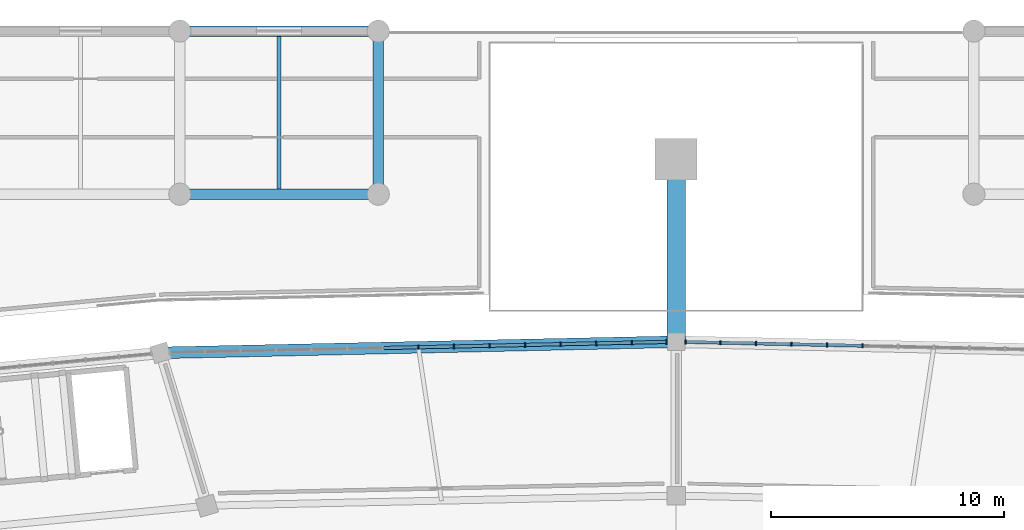
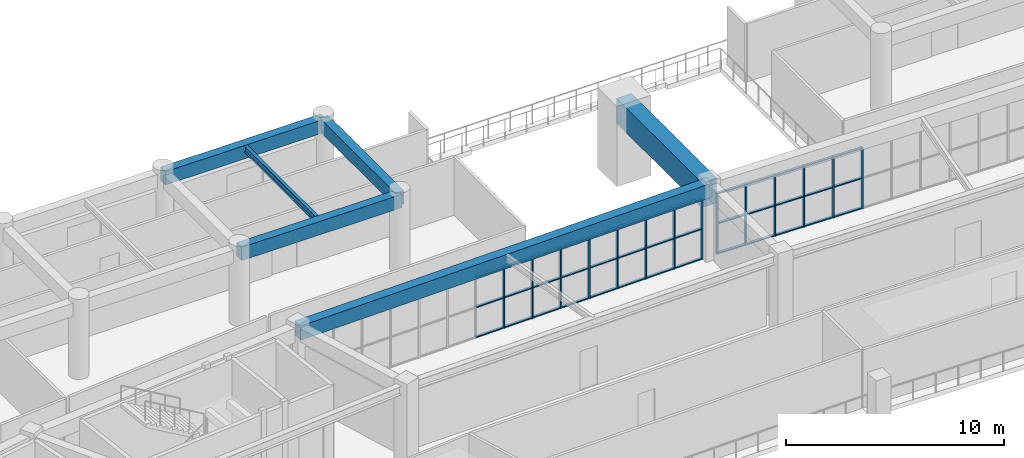
# One storey, part 59 of 141: 53 members, 6 beams, 2 elements without a shape of their own.
"""IFC4 building model written with IfcOpenShell, lengths in metres."""

from ifc_helpers import new_model, si_unit, direction, frame, origin, origin_2d, place, context, subcontext, project, spatial, rectangle, i_section, extrude, material, layer, layer_set, material_profile, profile_set, type_object, element, aggregate, save


model = new_model("IFC4")

# Units and contexts
model_context = context("Model", 3, precision=1e-05, world=origin(), true_north=direction((0.0, 1.0)))
body_context = subcontext(model_context, "Body", "Model", "MODEL_VIEW")
ifc_project = project(units=[si_unit("LENGTHUNIT", "METRE"), si_unit("AREAUNIT", "SQUARE_METRE"), si_unit("VOLUMEUNIT", "CUBIC_METRE"), si_unit("PLANEANGLEUNIT", "RADIAN"), si_unit("MASSUNIT", "GRAM", prefix="KILO")], contexts=[model_context])

# Site, building, storey
site_placement = place(None, origin())
site = spatial("IfcSite", under=ifc_project, at=site_placement, CompositionType="ELEMENT")
building_placement = place(site_placement, origin())
building = spatial("IfcBuilding", under=site, at=building_placement, Name="Mphavela Belvedere Stadium", CompositionType="ELEMENT")
storey_placement = place(building_placement, frame((0.0, 0.0, 14.699951171875)))
storey = spatial("IfcBuildingStorey", under=building, at=storey_placement, Name="L03", CompositionType="ELEMENT", Elevation=14.699951171875)

# Beams
ifc_material_1 = material(Name="Concrete C50/60", Category="concrete")
ifc_material_profile_1 = material_profile(ifc_material_1, rectangle(XDim=0.800048828125, YDim=1.39990234375, at=origin_2d()), Name="RC 800x1400")
ifc_profile_set_1 = profile_set([ifc_material_profile_1], Name="Concrete C50/60")
beam_type_1 = type_object("IfcBeamType", Name="BM-BUTTRESS-TIE-1400", PredefinedType="BEAM", material=ifc_profile_set_1)
beam_1_placement = place(storey_placement, frame((115.0, 160.669921875, 3.550048828125), z_axis=(0.0, 1.0, 0.0), x_axis=(-1.0, 0.0, 0.0)))
element("IfcBeam", 1, at=beam_1_placement, inside=storey, type_object=beam_type_1, Name="Mast buttress tie girder L03", PredefinedType="BEAM", context=body_context, shape_type="SweptSolid", body=[
    extrude(rectangle(XDim=0.800048828125, YDim=1.39990234375, at=origin_2d()), origin(), (0.0, 0.0, 1.0), 7.830078125),
])
ifc_material_2 = material(Name="Steel S355", Category="steel")
ifc_material_profile_2 = material_profile(ifc_material_2, i_section(OverallWidth=0.169921875, OverallDepth=0.360107421875, WebThickness=0.008056640625, FlangeThickness=0.0126953125, at=origin_2d()), Name="IPE 360")
ifc_profile_set_2 = profile_set([ifc_material_profile_2], Name="Steel S355")
beam_type_2 = type_object("IfcBeamType", Name="BM-JOIST-IPE360", PredefinedType="JOIST", material=ifc_profile_set_2)
beam_2_placement = place(storey_placement, frame((97.962890625, 167.22509765625, 4.06005859375), z_axis=(0.0, 1.0, 0.0), x_axis=(-1.0, 0.0, 0.0)))
element("IfcBeam", 2, at=beam_2_placement, inside=storey, type_object=beam_type_2, Name="North Mast and Ceremonial End Forecourt secondary joist L03 12-7", PredefinedType="JOIST", context=body_context, shape_type="SweptSolid", body=[
    extrude(i_section(OverallWidth=0.169921875, OverallDepth=0.360107421875, WebThickness=0.008056640625, FlangeThickness=0.0126953125, at=origin_2d()), origin(), (0.0, 0.0, 1.0), 6.5498046875),
])
ifc_material_3 = material(Name="Concrete C40/50", Category="concrete")
ifc_material_profile_3 = material_profile(ifc_material_3, rectangle(XDim=0.449951171875, YDim=0.75, at=origin_2d()), Name="RC 450x750")
ifc_profile_set_3 = profile_set([ifc_material_profile_3], Name="Concrete C40/50")
beam_type_3 = type_object("IfcBeamType", Name="BM-RC450x750", PredefinedType="BEAM", material=ifc_profile_set_3)
for number, where, z_axis, x_axis, name in (
    (3, (93.7041015625, 167.0, 3.864990234375), (1.0, 0.0, 0.0), (0.0, 1.0, 0.0), "North Mast and Ceremonial End Forecourt entablature beam X L03 12-7"),
    (4, (93.7041015625, 174.0, 3.864990234375), (1.0, 0.0, 0.0), (0.0, 1.0, 0.0), "North Mast and Ceremonial End Forecourt entablature beam X L03 12-8"),
):
    element("IfcBeam", number, at=place(storey_placement, frame(where, z_axis=z_axis, x_axis=x_axis)), inside=storey, type_object=beam_type_3, Name=name, PredefinedType="BEAM", context=body_context, shape_type="SweptSolid", body=[
        extrude(rectangle(XDim=0.449951171875, YDim=0.75, at=origin_2d()), origin(), (0.0, 0.0, 1.0), 8.517822265625),
    ])
beam_3_placement = place(storey_placement, frame((102.221923828125, 167.0, 3.864990234375), z_axis=(0.0, 1.0, 0.0), x_axis=(-1.0, 0.0, 0.0)))
element("IfcBeam", 5, at=beam_3_placement, inside=storey, type_object=beam_type_3, Name="North Mast and Ceremonial End Forecourt entablature beam Y L03 13-7", PredefinedType="BEAM", context=body_context, shape_type="SweptSolid", body=[
    extrude(rectangle(XDim=0.449951171875, YDim=0.75, at=origin_2d()), origin(), (0.0, 0.0, 1.0), 7.0),
])
ifc_material_4 = material(Name="Concrete C40/50", Category="concrete")
ifc_material_profile_4 = material_profile(ifc_material_4, rectangle(XDim=0.5, YDim=0.800048828125, at=origin_2d()), Name="RC 500x800")
ifc_profile_set_4 = profile_set([ifc_material_profile_4], Name="Concrete C40/50")
beam_type_4 = type_object("IfcBeamType", Name="BM-SPANDREL-800", PredefinedType="SPANDREL", material=ifc_profile_set_4)
beam_4_placement = place(storey_placement, frame((115.0, 160.669921875, 3.85009765625), z_axis=(-0.999768359718, -0.021522706765, 0.0), x_axis=(0.021522706765, -0.999768359718, 0.0)))
element("IfcBeam", 6, at=beam_4_placement, inside=storey, type_object=beam_type_4, Name="Circumferential girder L03 R4-13", PredefinedType="SPANDREL", context=body_context, shape_type="SweptSolid", body=[
    extrude(rectangle(XDim=0.5, YDim=0.800048828125, at=origin_2d()), origin(), (0.0, 0.0, 1.0), 22.11962890625),
])

# Curtain wall, members
ifc_material_5 = material(Name="Anodised bronze unitised curtain wall framing")
ifc_layer_1 = layer(ifc_material_5, 0.195068359375)
ifc_layer_set_1 = layer_set([ifc_layer_1], Name="Anodised bronze unitised curtain wall framing")
curtain_wall_type_1 = type_object("IfcCurtainWallType", Name="CW-UNIT-04", PredefinedType="USERDEFINED", material=ifc_layer_set_1)
curtain_wall_1_placement = place(storey_placement, origin())
curtain_wall_1 = element("IfcCurtainWall", 7, at=curtain_wall_1_placement, inside=storey, type_object=curtain_wall_type_1, Name="Belvedere colonnade curtain wall L03-12", ObjectType="UNITISED CURTAIN WALL", PredefinedType="USERDEFINED")
ifc_material_6 = material(Name="Anodised bronze extruded aluminium", Category="aluminium")
ifc_material_profile_5 = material_profile(ifc_material_6, rectangle(XDim=0.179931640625, YDim=0.06494140625, at=origin_2d()), Name="CW-MUL 180x65")
ifc_profile_set_5 = profile_set([ifc_material_profile_5], Name="Anodised bronze extruded aluminium")
member_type_1 = type_object("IfcMemberType", Name="CWM-180x65", PredefinedType="MULLION", material=ifc_profile_set_5)
member_1_placement = place(storey_placement, frame((123.004638671875, 160.49755859375, 0.0), z_axis=(0.0, 0.0, 1.0), x_axis=(-0.02153107878, -0.999768179453, 0.0)))
member_1 = element("IfcMember", 8, at=member_1_placement, type_object=member_type_1, Name="CW-04 mullion 10", PredefinedType="MULLION", context=body_context, shape_type="SweptSolid", body=[
    extrude(rectangle(XDim=0.179931640625, YDim=0.06494140625, at=origin_2d()), origin(), (0.0, 0.0, 1.0), 3.420166015625),
])
member_2_placement = place(storey_placement, frame((121.478271484375, 160.530517578125, 0.0), z_axis=(0.0, 0.0, 1.0), x_axis=(-0.02153107878, -0.999768179453, 0.0)))
member_2 = element("IfcMember", 9, at=member_2_placement, type_object=member_type_1, Name="CW-04 mullion 11", PredefinedType="MULLION", context=body_context, shape_type="SweptSolid", body=[
    extrude(rectangle(XDim=0.179931640625, YDim=0.06494140625, at=origin_2d()), origin(), (0.0, 0.0, 1.0), 3.420166015625),
])
member_3_placement = place(storey_placement, frame((119.951904296875, 160.5634765625, 0.0), z_axis=(0.0, 0.0, 1.0), x_axis=(-0.02153107878, -0.999768179453, 0.0)))
member_3 = element("IfcMember", 10, at=member_3_placement, type_object=member_type_1, Name="CW-04 mullion 12", PredefinedType="MULLION", context=body_context, shape_type="SweptSolid", body=[
    extrude(rectangle(XDim=0.179931640625, YDim=0.06494140625, at=origin_2d()), origin(), (0.0, 0.0, 1.0), 3.420166015625),
])
member_4_placement = place(storey_placement, frame((118.425537109375, 160.59619140625, 0.0), z_axis=(0.0, 0.0, 1.0), x_axis=(-0.02153107878, -0.999768179453, 0.0)))
member_4 = element("IfcMember", 11, at=member_4_placement, type_object=member_type_1, Name="CW-04 mullion 13", PredefinedType="MULLION", context=body_context, shape_type="SweptSolid", body=[
    extrude(rectangle(XDim=0.179931640625, YDim=0.06494140625, at=origin_2d()), origin(), (0.0, 0.0, 1.0), 3.420166015625),
])
member_5_placement = place(storey_placement, frame((116.899169921875, 160.629150390625, 0.0), z_axis=(0.0, 0.0, 1.0), x_axis=(-0.02153107878, -0.999768179453, 0.0)))
member_5 = element("IfcMember", 12, at=member_5_placement, type_object=member_type_1, Name="CW-04 mullion 14", PredefinedType="MULLION", context=body_context, shape_type="SweptSolid", body=[
    extrude(rectangle(XDim=0.179931640625, YDim=0.06494140625, at=origin_2d()), origin(), (0.0, 0.0, 1.0), 3.420166015625),
])
member_6_placement = place(storey_placement, frame((115.4052734375, 160.661376953125, 0.0), z_axis=(0.0, 0.0, 1.0), x_axis=(-0.02153107878, -0.999768179453, 0.0)))
member_6 = element("IfcMember", 13, at=member_6_placement, type_object=member_type_1, Name="CW-04 mullion 15", PredefinedType="MULLION", context=body_context, shape_type="SweptSolid", body=[
    extrude(rectangle(XDim=0.179931640625, YDim=0.06494140625, at=origin_2d()), origin(), (0.0, 0.0, 1.0), 3.420166015625),
])

ifc_material_7 = material(Name="Anodised bronze unitised curtain wall framing")
ifc_layer_2 = layer(ifc_material_7, 0.199951171875)
ifc_layer_set_2 = layer_set([ifc_layer_2], Name="Anodised bronze unitised curtain wall framing")
curtain_wall_type_2 = type_object("IfcCurtainWallType", Name="CW-UNIT-05", PredefinedType="USERDEFINED", material=ifc_layer_set_2)
curtain_wall_2_placement = place(storey_placement, origin())
curtain_wall_2 = element("IfcCurtainWall", 14, at=curtain_wall_2_placement, inside=storey, type_object=curtain_wall_type_2, Name="Belvedere colonnade curtain wall L03-13", ObjectType="UNITISED CURTAIN WALL", PredefinedType="USERDEFINED")
member_7_placement = place(storey_placement, frame((114.5947265625, 160.661376953125, 0.0), z_axis=(0.0, 0.0, 1.0), x_axis=(0.02153107878, -0.999768179453, 0.0)))
member_7 = element("IfcMember", 15, at=member_7_placement, type_object=member_type_1, Name="CW-05 mullion 1", PredefinedType="MULLION", context=body_context, shape_type="SweptSolid", body=[
    extrude(rectangle(XDim=0.179931640625, YDim=0.06494140625, at=origin_2d()), origin(), (0.0, 0.0, 1.0), 3.420166015625),
])
member_8_placement = place(storey_placement, frame((113.100830078125, 160.629150390625, 0.0), z_axis=(0.0, 0.0, 1.0), x_axis=(0.02153107878, -0.999768179453, 0.0)))
member_8 = element("IfcMember", 16, at=member_8_placement, type_object=member_type_1, Name="CW-05 mullion 2", PredefinedType="MULLION", context=body_context, shape_type="SweptSolid", body=[
    extrude(rectangle(XDim=0.179931640625, YDim=0.06494140625, at=origin_2d()), origin(), (0.0, 0.0, 1.0), 3.420166015625),
])
member_9_placement = place(storey_placement, frame((111.574462890625, 160.59619140625, 0.0), z_axis=(0.0, 0.0, 1.0), x_axis=(0.02153107878, -0.999768179453, 0.0)))
member_9 = element("IfcMember", 17, at=member_9_placement, type_object=member_type_1, Name="CW-05 mullion 3", PredefinedType="MULLION", context=body_context, shape_type="SweptSolid", body=[
    extrude(rectangle(XDim=0.179931640625, YDim=0.06494140625, at=origin_2d()), origin(), (0.0, 0.0, 1.0), 3.420166015625),
])
member_10_placement = place(storey_placement, frame((110.048095703125, 160.5634765625, 0.0), z_axis=(0.0, 0.0, 1.0), x_axis=(0.02153107878, -0.999768179453, 0.0)))
member_10 = element("IfcMember", 18, at=member_10_placement, type_object=member_type_1, Name="CW-05 mullion 4", PredefinedType="MULLION", context=body_context, shape_type="SweptSolid", body=[
    extrude(rectangle(XDim=0.179931640625, YDim=0.06494140625, at=origin_2d()), origin(), (0.0, 0.0, 1.0), 3.420166015625),
])
member_11_placement = place(storey_placement, frame((108.521728515625, 160.530517578125, 0.0), z_axis=(0.0, 0.0, 1.0), x_axis=(0.02153107878, -0.999768179453, 0.0)))
member_11 = element("IfcMember", 19, at=member_11_placement, type_object=member_type_1, Name="CW-05 mullion 5", PredefinedType="MULLION", context=body_context, shape_type="SweptSolid", body=[
    extrude(rectangle(XDim=0.179931640625, YDim=0.06494140625, at=origin_2d()), origin(), (0.0, 0.0, 1.0), 3.420166015625),
])
member_12_placement = place(storey_placement, frame((106.995361328125, 160.49755859375, 0.0), z_axis=(0.0, 0.0, 1.0), x_axis=(0.02153107878, -0.999768179453, 0.0)))
member_12 = element("IfcMember", 20, at=member_12_placement, type_object=member_type_1, Name="CW-05 mullion 6", PredefinedType="MULLION", context=body_context, shape_type="SweptSolid", body=[
    extrude(rectangle(XDim=0.179931640625, YDim=0.06494140625, at=origin_2d()), origin(), (0.0, 0.0, 1.0), 3.420166015625),
])
member_13_placement = place(storey_placement, frame((105.468994140625, 160.46484375, 0.0), z_axis=(0.0, 0.0, 1.0), x_axis=(0.02153107878, -0.999768179453, 0.0)))
member_13 = element("IfcMember", 21, at=member_13_placement, type_object=member_type_1, Name="CW-05 mullion 7", PredefinedType="MULLION", context=body_context, shape_type="SweptSolid", body=[
    extrude(rectangle(XDim=0.179931640625, YDim=0.06494140625, at=origin_2d()), origin(), (0.0, 0.0, 1.0), 3.420166015625),
])
member_14_placement = place(storey_placement, frame((103.942626953125, 160.431884765625, 0.0), z_axis=(0.0, 0.0, 1.0), x_axis=(0.02153107878, -0.999768179453, 0.0)))
member_14 = element("IfcMember", 22, at=member_14_placement, type_object=member_type_1, Name="CW-05 mullion 8", PredefinedType="MULLION", context=body_context, shape_type="SweptSolid", body=[
    extrude(rectangle(XDim=0.179931640625, YDim=0.06494140625, at=origin_2d()), origin(), (0.0, 0.0, 1.0), 3.420166015625),
])

# Member
ifc_material_8 = material(Name="Anodised bronze extruded aluminium", Category="aluminium")
ifc_material_profile_6 = material_profile(ifc_material_8, rectangle(XDim=0.139892578125, YDim=0.06005859375, at=origin_2d()), Name="CW-TRN 140x60")
ifc_profile_set_6 = profile_set([ifc_material_profile_6], Name="Anodised bronze extruded aluminium")
member_type_2 = type_object("IfcMemberType", Name="CWT-140x60", PredefinedType="USERDEFINED", material=ifc_profile_set_6)
member_15_placement = place(storey_placement, frame((122.97216796875, 160.498291015625, 0.030029296875), z_axis=(-0.999767873479, 0.021545281604, 0.0), x_axis=(-0.021545281604, -0.999767873479, 0.0)))
member_15 = element("IfcMember", 23, at=member_15_placement, type_object=member_type_2, Name="CW-04 transom 10.1", ObjectType="TRANSOM", PredefinedType="USERDEFINED", context=body_context, shape_type="SweptSolid", body=[
    extrude(rectangle(XDim=0.139892578125, YDim=0.06005859375, at=origin_2d()), origin(), (0.0, 0.0, 1.0), 1.461669921875),
])

member_16_placement = place(storey_placement, frame((122.97216796875, 160.498291015625, 1.7099609375), z_axis=(-0.999767873479, 0.021545281604, 0.0), x_axis=(-0.021545281604, -0.999767873479, 0.0)))
member_16 = element("IfcMember", 24, at=member_16_placement, type_object=member_type_2, Name="CW-04 transom 10.2", ObjectType="TRANSOM", PredefinedType="USERDEFINED", context=body_context, shape_type="SweptSolid", body=[
    extrude(rectangle(XDim=0.139892578125, YDim=0.06005859375, at=origin_2d()), origin(), (0.0, 0.0, 1.0), 1.461669921875),
])

member_17_placement = place(storey_placement, frame((122.97216796875, 160.498291015625, 3.39013671875), z_axis=(-0.999767873479, 0.021545281604, 0.0), x_axis=(-0.021545281604, -0.999767873479, 0.0)))
member_17 = element("IfcMember", 25, at=member_17_placement, type_object=member_type_2, Name="CW-04 transom 10.3", ObjectType="TRANSOM", PredefinedType="USERDEFINED", context=body_context, shape_type="SweptSolid", body=[
    extrude(rectangle(XDim=0.139892578125, YDim=0.06005859375, at=origin_2d()), origin(), (0.0, 0.0, 1.0), 1.461669921875),
])

member_18_placement = place(storey_placement, frame((121.44580078125, 160.53125, 0.030029296875), z_axis=(-0.999767873479, 0.021545281604, 0.0), x_axis=(-0.021545281604, -0.999767873479, 0.0)))
member_18 = element("IfcMember", 26, at=member_18_placement, type_object=member_type_2, Name="CW-04 transom 11.1", ObjectType="TRANSOM", PredefinedType="USERDEFINED", context=body_context, shape_type="SweptSolid", body=[
    extrude(rectangle(XDim=0.139892578125, YDim=0.06005859375, at=origin_2d()), origin(), (0.0, 0.0, 1.0), 1.461669921875),
])

member_19_placement = place(storey_placement, frame((121.44580078125, 160.53125, 1.7099609375), z_axis=(-0.999767873479, 0.021545281604, 0.0), x_axis=(-0.021545281604, -0.999767873479, 0.0)))
member_19 = element("IfcMember", 27, at=member_19_placement, type_object=member_type_2, Name="CW-04 transom 11.2", ObjectType="TRANSOM", PredefinedType="USERDEFINED", context=body_context, shape_type="SweptSolid", body=[
    extrude(rectangle(XDim=0.139892578125, YDim=0.06005859375, at=origin_2d()), origin(), (0.0, 0.0, 1.0), 1.461669921875),
])

member_20_placement = place(storey_placement, frame((121.44580078125, 160.53125, 3.39013671875), z_axis=(-0.999767873479, 0.021545281604, 0.0), x_axis=(-0.021545281604, -0.999767873479, 0.0)))
member_20 = element("IfcMember", 28, at=member_20_placement, type_object=member_type_2, Name="CW-04 transom 11.3", ObjectType="TRANSOM", PredefinedType="USERDEFINED", context=body_context, shape_type="SweptSolid", body=[
    extrude(rectangle(XDim=0.139892578125, YDim=0.06005859375, at=origin_2d()), origin(), (0.0, 0.0, 1.0), 1.461669921875),
])

member_21_placement = place(storey_placement, frame((119.91943359375, 160.56396484375, 0.030029296875), z_axis=(-0.999767873479, 0.021545281604, 0.0), x_axis=(-0.021545281604, -0.999767873479, 0.0)))
member_21 = element("IfcMember", 29, at=member_21_placement, type_object=member_type_2, Name="CW-04 transom 12.1", ObjectType="TRANSOM", PredefinedType="USERDEFINED", context=body_context, shape_type="SweptSolid", body=[
    extrude(rectangle(XDim=0.139892578125, YDim=0.06005859375, at=origin_2d()), origin(), (0.0, 0.0, 1.0), 1.461669921875),
])

member_22_placement = place(storey_placement, frame((119.91943359375, 160.56396484375, 1.7099609375), z_axis=(-0.999767873479, 0.021545281604, 0.0), x_axis=(-0.021545281604, -0.999767873479, 0.0)))
member_22 = element("IfcMember", 30, at=member_22_placement, type_object=member_type_2, Name="CW-04 transom 12.2", ObjectType="TRANSOM", PredefinedType="USERDEFINED", context=body_context, shape_type="SweptSolid", body=[
    extrude(rectangle(XDim=0.139892578125, YDim=0.06005859375, at=origin_2d()), origin(), (0.0, 0.0, 1.0), 1.461669921875),
])

member_23_placement = place(storey_placement, frame((119.91943359375, 160.56396484375, 3.39013671875), z_axis=(-0.999767873479, 0.021545281604, 0.0), x_axis=(-0.021545281604, -0.999767873479, 0.0)))
member_23 = element("IfcMember", 31, at=member_23_placement, type_object=member_type_2, Name="CW-04 transom 12.3", ObjectType="TRANSOM", PredefinedType="USERDEFINED", context=body_context, shape_type="SweptSolid", body=[
    extrude(rectangle(XDim=0.139892578125, YDim=0.06005859375, at=origin_2d()), origin(), (0.0, 0.0, 1.0), 1.461669921875),
])

member_24_placement = place(storey_placement, frame((118.39306640625, 160.596923828125, 0.030029296875), z_axis=(-0.999767873479, 0.021545281604, 0.0), x_axis=(-0.021545281604, -0.999767873479, 0.0)))
member_24 = element("IfcMember", 32, at=member_24_placement, type_object=member_type_2, Name="CW-04 transom 13.1", ObjectType="TRANSOM", PredefinedType="USERDEFINED", context=body_context, shape_type="SweptSolid", body=[
    extrude(rectangle(XDim=0.139892578125, YDim=0.06005859375, at=origin_2d()), origin(), (0.0, 0.0, 1.0), 1.461669921875),
])

member_25_placement = place(storey_placement, frame((118.39306640625, 160.596923828125, 1.7099609375), z_axis=(-0.999767873479, 0.021545281604, 0.0), x_axis=(-0.021545281604, -0.999767873479, 0.0)))
member_25 = element("IfcMember", 33, at=member_25_placement, type_object=member_type_2, Name="CW-04 transom 13.2", ObjectType="TRANSOM", PredefinedType="USERDEFINED", context=body_context, shape_type="SweptSolid", body=[
    extrude(rectangle(XDim=0.139892578125, YDim=0.06005859375, at=origin_2d()), origin(), (0.0, 0.0, 1.0), 1.461669921875),
])

member_26_placement = place(storey_placement, frame((118.39306640625, 160.596923828125, 3.39013671875), z_axis=(-0.999767873479, 0.021545281604, 0.0), x_axis=(-0.021545281604, -0.999767873479, 0.0)))
member_26 = element("IfcMember", 34, at=member_26_placement, type_object=member_type_2, Name="CW-04 transom 13.3", ObjectType="TRANSOM", PredefinedType="USERDEFINED", context=body_context, shape_type="SweptSolid", body=[
    extrude(rectangle(XDim=0.139892578125, YDim=0.06005859375, at=origin_2d()), origin(), (0.0, 0.0, 1.0), 1.461669921875),
])

member_27_placement = place(storey_placement, frame((116.86669921875, 160.6298828125, 0.030029296875), z_axis=(-0.999768286418, 0.02152611143, 0.0), x_axis=(-0.02152611143, -0.999768286418, 0.0)))
member_27 = element("IfcMember", 35, at=member_27_placement, type_object=member_type_2, Name="CW-04 transom 14.1", ObjectType="TRANSOM", PredefinedType="USERDEFINED", context=body_context, shape_type="SweptSolid", body=[
    extrude(rectangle(XDim=0.139892578125, YDim=0.06005859375, at=origin_2d()), origin(), (0.0, 0.0, 1.0), 1.428955078125),
])

member_28_placement = place(storey_placement, frame((116.86669921875, 160.6298828125, 1.7099609375), z_axis=(-0.999768286418, 0.02152611143, 0.0), x_axis=(-0.02152611143, -0.999768286418, 0.0)))
member_28 = element("IfcMember", 36, at=member_28_placement, type_object=member_type_2, Name="CW-04 transom 14.2", ObjectType="TRANSOM", PredefinedType="USERDEFINED", context=body_context, shape_type="SweptSolid", body=[
    extrude(rectangle(XDim=0.139892578125, YDim=0.06005859375, at=origin_2d()), origin(), (0.0, 0.0, 1.0), 1.428955078125),
])

member_29_placement = place(storey_placement, frame((116.86669921875, 160.6298828125, 3.39013671875), z_axis=(-0.999768286418, 0.02152611143, 0.0), x_axis=(-0.02152611143, -0.999768286418, 0.0)))
member_29 = element("IfcMember", 37, at=member_29_placement, type_object=member_type_2, Name="CW-04 transom 14.3", ObjectType="TRANSOM", PredefinedType="USERDEFINED", context=body_context, shape_type="SweptSolid", body=[
    extrude(rectangle(XDim=0.139892578125, YDim=0.06005859375, at=origin_2d()), origin(), (0.0, 0.0, 1.0), 1.428955078125),
])

aggregate(curtain_wall_1, [member_1, member_2, member_3, member_4, member_5, member_6, member_15, member_16, member_17, member_18, member_19, member_20, member_21, member_22, member_23, member_24, member_25, member_26, member_27, member_28, member_29])

member_30_placement = place(storey_placement, frame((114.56201171875, 160.66064453125, 0.030029296875), z_axis=(-0.999768286418, -0.02152611143, 0.0), x_axis=(0.02152611143, -0.999768286418, 0.0)))
member_30 = element("IfcMember", 38, at=member_30_placement, type_object=member_type_2, Name="CW-05 transom 1.1", ObjectType="TRANSOM", PredefinedType="USERDEFINED", context=body_context, shape_type="SweptSolid", body=[
    extrude(rectangle(XDim=0.139892578125, YDim=0.06005859375, at=origin_2d()), origin(), (0.0, 0.0, 1.0), 1.428955078125),
])

member_31_placement = place(storey_placement, frame((114.56201171875, 160.66064453125, 1.7099609375), z_axis=(-0.999768286418, -0.02152611143, 0.0), x_axis=(0.02152611143, -0.999768286418, 0.0)))
member_31 = element("IfcMember", 39, at=member_31_placement, type_object=member_type_2, Name="CW-05 transom 1.2", ObjectType="TRANSOM", PredefinedType="USERDEFINED", context=body_context, shape_type="SweptSolid", body=[
    extrude(rectangle(XDim=0.139892578125, YDim=0.06005859375, at=origin_2d()), origin(), (0.0, 0.0, 1.0), 1.428955078125),
])

member_32_placement = place(storey_placement, frame((114.56201171875, 160.66064453125, 3.39013671875), z_axis=(-0.999768286418, -0.02152611143, 0.0), x_axis=(0.02152611143, -0.999768286418, 0.0)))
member_32 = element("IfcMember", 40, at=member_32_placement, type_object=member_type_2, Name="CW-05 transom 1.3", ObjectType="TRANSOM", PredefinedType="USERDEFINED", context=body_context, shape_type="SweptSolid", body=[
    extrude(rectangle(XDim=0.139892578125, YDim=0.06005859375, at=origin_2d()), origin(), (0.0, 0.0, 1.0), 1.428955078125),
])

member_33_placement = place(storey_placement, frame((113.068359375, 160.62841796875, 0.030029296875), z_axis=(-0.999767873479, -0.021545281604, 0.0), x_axis=(0.021545281604, -0.999767873479, 0.0)))
member_33 = element("IfcMember", 41, at=member_33_placement, type_object=member_type_2, Name="CW-05 transom 2.1", ObjectType="TRANSOM", PredefinedType="USERDEFINED", context=body_context, shape_type="SweptSolid", body=[
    extrude(rectangle(XDim=0.139892578125, YDim=0.06005859375, at=origin_2d()), origin(), (0.0, 0.0, 1.0), 1.461669921875),
])

member_34_placement = place(storey_placement, frame((113.068359375, 160.62841796875, 1.7099609375), z_axis=(-0.999767873479, -0.021545281604, 0.0), x_axis=(0.021545281604, -0.999767873479, 0.0)))
member_34 = element("IfcMember", 42, at=member_34_placement, type_object=member_type_2, Name="CW-05 transom 2.2", ObjectType="TRANSOM", PredefinedType="USERDEFINED", context=body_context, shape_type="SweptSolid", body=[
    extrude(rectangle(XDim=0.139892578125, YDim=0.06005859375, at=origin_2d()), origin(), (0.0, 0.0, 1.0), 1.461669921875),
])

member_35_placement = place(storey_placement, frame((113.068359375, 160.62841796875, 3.39013671875), z_axis=(-0.999767873479, -0.021545281604, 0.0), x_axis=(0.021545281604, -0.999767873479, 0.0)))
member_35 = element("IfcMember", 43, at=member_35_placement, type_object=member_type_2, Name="CW-05 transom 2.3", ObjectType="TRANSOM", PredefinedType="USERDEFINED", context=body_context, shape_type="SweptSolid", body=[
    extrude(rectangle(XDim=0.139892578125, YDim=0.06005859375, at=origin_2d()), origin(), (0.0, 0.0, 1.0), 1.461669921875),
])

member_36_placement = place(storey_placement, frame((111.5419921875, 160.595458984375, 0.030029296875), z_axis=(-0.999767873479, -0.021545281604, 0.0), x_axis=(0.021545281604, -0.999767873479, 0.0)))
member_36 = element("IfcMember", 44, at=member_36_placement, type_object=member_type_2, Name="CW-05 transom 3.1", ObjectType="TRANSOM", PredefinedType="USERDEFINED", context=body_context, shape_type="SweptSolid", body=[
    extrude(rectangle(XDim=0.139892578125, YDim=0.06005859375, at=origin_2d()), origin(), (0.0, 0.0, 1.0), 1.461669921875),
])

member_37_placement = place(storey_placement, frame((111.5419921875, 160.595458984375, 1.7099609375), z_axis=(-0.999767873479, -0.021545281604, 0.0), x_axis=(0.021545281604, -0.999767873479, 0.0)))
member_37 = element("IfcMember", 45, at=member_37_placement, type_object=member_type_2, Name="CW-05 transom 3.2", ObjectType="TRANSOM", PredefinedType="USERDEFINED", context=body_context, shape_type="SweptSolid", body=[
    extrude(rectangle(XDim=0.139892578125, YDim=0.06005859375, at=origin_2d()), origin(), (0.0, 0.0, 1.0), 1.461669921875),
])

member_38_placement = place(storey_placement, frame((111.5419921875, 160.595458984375, 3.39013671875), z_axis=(-0.999767873479, -0.021545281604, 0.0), x_axis=(0.021545281604, -0.999767873479, 0.0)))
member_38 = element("IfcMember", 46, at=member_38_placement, type_object=member_type_2, Name="CW-05 transom 3.3", ObjectType="TRANSOM", PredefinedType="USERDEFINED", context=body_context, shape_type="SweptSolid", body=[
    extrude(rectangle(XDim=0.139892578125, YDim=0.06005859375, at=origin_2d()), origin(), (0.0, 0.0, 1.0), 1.461669921875),
])

member_39_placement = place(storey_placement, frame((110.015625, 160.562744140625, 0.030029296875), z_axis=(-0.999767873479, -0.021545281604, 0.0), x_axis=(0.021545281604, -0.999767873479, 0.0)))
member_39 = element("IfcMember", 47, at=member_39_placement, type_object=member_type_2, Name="CW-05 transom 4.1", ObjectType="TRANSOM", PredefinedType="USERDEFINED", context=body_context, shape_type="SweptSolid", body=[
    extrude(rectangle(XDim=0.139892578125, YDim=0.06005859375, at=origin_2d()), origin(), (0.0, 0.0, 1.0), 1.461669921875),
])

member_40_placement = place(storey_placement, frame((110.015625, 160.562744140625, 1.7099609375), z_axis=(-0.999767873479, -0.021545281604, 0.0), x_axis=(0.021545281604, -0.999767873479, 0.0)))
member_40 = element("IfcMember", 48, at=member_40_placement, type_object=member_type_2, Name="CW-05 transom 4.2", ObjectType="TRANSOM", PredefinedType="USERDEFINED", context=body_context, shape_type="SweptSolid", body=[
    extrude(rectangle(XDim=0.139892578125, YDim=0.06005859375, at=origin_2d()), origin(), (0.0, 0.0, 1.0), 1.461669921875),
])

member_41_placement = place(storey_placement, frame((110.015625, 160.562744140625, 3.39013671875), z_axis=(-0.999767873479, -0.021545281604, 0.0), x_axis=(0.021545281604, -0.999767873479, 0.0)))
member_41 = element("IfcMember", 49, at=member_41_placement, type_object=member_type_2, Name="CW-05 transom 4.3", ObjectType="TRANSOM", PredefinedType="USERDEFINED", context=body_context, shape_type="SweptSolid", body=[
    extrude(rectangle(XDim=0.139892578125, YDim=0.06005859375, at=origin_2d()), origin(), (0.0, 0.0, 1.0), 1.461669921875),
])

member_42_placement = place(storey_placement, frame((108.4892578125, 160.52978515625, 0.030029296875), z_axis=(-0.999767873479, -0.021545281604, 0.0), x_axis=(0.021545281604, -0.999767873479, 0.0)))
member_42 = element("IfcMember", 50, at=member_42_placement, type_object=member_type_2, Name="CW-05 transom 5.1", ObjectType="TRANSOM", PredefinedType="USERDEFINED", context=body_context, shape_type="SweptSolid", body=[
    extrude(rectangle(XDim=0.139892578125, YDim=0.06005859375, at=origin_2d()), origin(), (0.0, 0.0, 1.0), 1.461669921875),
])

member_43_placement = place(storey_placement, frame((108.4892578125, 160.52978515625, 1.7099609375), z_axis=(-0.999767873479, -0.021545281604, 0.0), x_axis=(0.021545281604, -0.999767873479, 0.0)))
member_43 = element("IfcMember", 51, at=member_43_placement, type_object=member_type_2, Name="CW-05 transom 5.2", ObjectType="TRANSOM", PredefinedType="USERDEFINED", context=body_context, shape_type="SweptSolid", body=[
    extrude(rectangle(XDim=0.139892578125, YDim=0.06005859375, at=origin_2d()), origin(), (0.0, 0.0, 1.0), 1.461669921875),
])

member_44_placement = place(storey_placement, frame((108.4892578125, 160.52978515625, 3.39013671875), z_axis=(-0.999767873479, -0.021545281604, 0.0), x_axis=(0.021545281604, -0.999767873479, 0.0)))
member_44 = element("IfcMember", 52, at=member_44_placement, type_object=member_type_2, Name="CW-05 transom 5.3", ObjectType="TRANSOM", PredefinedType="USERDEFINED", context=body_context, shape_type="SweptSolid", body=[
    extrude(rectangle(XDim=0.139892578125, YDim=0.06005859375, at=origin_2d()), origin(), (0.0, 0.0, 1.0), 1.461669921875),
])

member_45_placement = place(storey_placement, frame((106.962890625, 160.496826171875, 0.030029296875), z_axis=(-0.999771457162, -0.021378340547, 0.0), x_axis=(0.021378340547, -0.999771457162, 0.0)))
member_45 = element("IfcMember", 53, at=member_45_placement, type_object=member_type_2, Name="CW-05 transom 6.1", ObjectType="TRANSOM", PredefinedType="USERDEFINED", context=body_context, shape_type="SweptSolid", body=[
    extrude(rectangle(XDim=0.139892578125, YDim=0.06005859375, at=origin_2d()), origin(), (0.0, 0.0, 1.0), 1.461669921875),
])

member_46_placement = place(storey_placement, frame((106.962890625, 160.496826171875, 1.7099609375), z_axis=(-0.999771457162, -0.021378340547, 0.0), x_axis=(0.021378340547, -0.999771457162, 0.0)))
member_46 = element("IfcMember", 54, at=member_46_placement, type_object=member_type_2, Name="CW-05 transom 6.2", ObjectType="TRANSOM", PredefinedType="USERDEFINED", context=body_context, shape_type="SweptSolid", body=[
    extrude(rectangle(XDim=0.139892578125, YDim=0.06005859375, at=origin_2d()), origin(), (0.0, 0.0, 1.0), 1.461669921875),
])

member_47_placement = place(storey_placement, frame((106.962890625, 160.496826171875, 3.39013671875), z_axis=(-0.999771457162, -0.021378340547, 0.0), x_axis=(0.021378340547, -0.999771457162, 0.0)))
member_47 = element("IfcMember", 55, at=member_47_placement, type_object=member_type_2, Name="CW-05 transom 6.3", ObjectType="TRANSOM", PredefinedType="USERDEFINED", context=body_context, shape_type="SweptSolid", body=[
    extrude(rectangle(XDim=0.139892578125, YDim=0.06005859375, at=origin_2d()), origin(), (0.0, 0.0, 1.0), 1.461669921875),
])

member_48_placement = place(storey_placement, frame((105.4365234375, 160.464111328125, 0.030029296875), z_axis=(-0.999767873479, -0.021545281604, 0.0), x_axis=(0.021545281604, -0.999767873479, 0.0)))
member_48 = element("IfcMember", 56, at=member_48_placement, type_object=member_type_2, Name="CW-05 transom 7.1", ObjectType="TRANSOM", PredefinedType="USERDEFINED", context=body_context, shape_type="SweptSolid", body=[
    extrude(rectangle(XDim=0.139892578125, YDim=0.06005859375, at=origin_2d()), origin(), (0.0, 0.0, 1.0), 1.461669921875),
])

member_49_placement = place(storey_placement, frame((105.4365234375, 160.464111328125, 1.7099609375), z_axis=(-0.999767873479, -0.021545281604, 0.0), x_axis=(0.021545281604, -0.999767873479, 0.0)))
member_49 = element("IfcMember", 57, at=member_49_placement, type_object=member_type_2, Name="CW-05 transom 7.2", ObjectType="TRANSOM", PredefinedType="USERDEFINED", context=body_context, shape_type="SweptSolid", body=[
    extrude(rectangle(XDim=0.139892578125, YDim=0.06005859375, at=origin_2d()), origin(), (0.0, 0.0, 1.0), 1.461669921875),
])

member_50_placement = place(storey_placement, frame((105.4365234375, 160.464111328125, 3.39013671875), z_axis=(-0.999767873479, -0.021545281604, 0.0), x_axis=(0.021545281604, -0.999767873479, 0.0)))
member_50 = element("IfcMember", 58, at=member_50_placement, type_object=member_type_2, Name="CW-05 transom 7.3", ObjectType="TRANSOM", PredefinedType="USERDEFINED", context=body_context, shape_type="SweptSolid", body=[
    extrude(rectangle(XDim=0.139892578125, YDim=0.06005859375, at=origin_2d()), origin(), (0.0, 0.0, 1.0), 1.461669921875),
])

member_51_placement = place(storey_placement, frame((103.91015625, 160.43115234375, 0.030029296875), z_axis=(-0.999767873479, -0.021545281604, 0.0), x_axis=(0.021545281604, -0.999767873479, 0.0)))
member_51 = element("IfcMember", 59, at=member_51_placement, type_object=member_type_2, Name="CW-05 transom 8.1", ObjectType="TRANSOM", PredefinedType="USERDEFINED", context=body_context, shape_type="SweptSolid", body=[
    extrude(rectangle(XDim=0.139892578125, YDim=0.06005859375, at=origin_2d()), origin(), (0.0, 0.0, 1.0), 1.461669921875),
])

member_52_placement = place(storey_placement, frame((103.91015625, 160.43115234375, 1.7099609375), z_axis=(-0.999767873479, -0.021545281604, 0.0), x_axis=(0.021545281604, -0.999767873479, 0.0)))
member_52 = element("IfcMember", 60, at=member_52_placement, type_object=member_type_2, Name="CW-05 transom 8.2", ObjectType="TRANSOM", PredefinedType="USERDEFINED", context=body_context, shape_type="SweptSolid", body=[
    extrude(rectangle(XDim=0.139892578125, YDim=0.06005859375, at=origin_2d()), origin(), (0.0, 0.0, 1.0), 1.461669921875),
])

member_53_placement = place(storey_placement, frame((103.91015625, 160.43115234375, 3.39013671875), z_axis=(-0.999767873479, -0.021545281604, 0.0), x_axis=(0.021545281604, -0.999767873479, 0.0)))
member_53 = element("IfcMember", 61, at=member_53_placement, type_object=member_type_2, Name="CW-05 transom 8.3", ObjectType="TRANSOM", PredefinedType="USERDEFINED", context=body_context, shape_type="SweptSolid", body=[
    extrude(rectangle(XDim=0.139892578125, YDim=0.06005859375, at=origin_2d()), origin(), (0.0, 0.0, 1.0), 1.461669921875),
])

aggregate(curtain_wall_2, [member_7, member_8, member_9, member_10, member_11, member_12, member_13, member_14, member_30, member_31, member_32, member_33, member_34, member_35, member_36, member_37, member_38, member_39, member_40, member_41, member_42, member_43, member_44, member_45, member_46, member_47, member_48, member_49, member_50, member_51, member_52, member_53])

save(model, "model.ifc")
